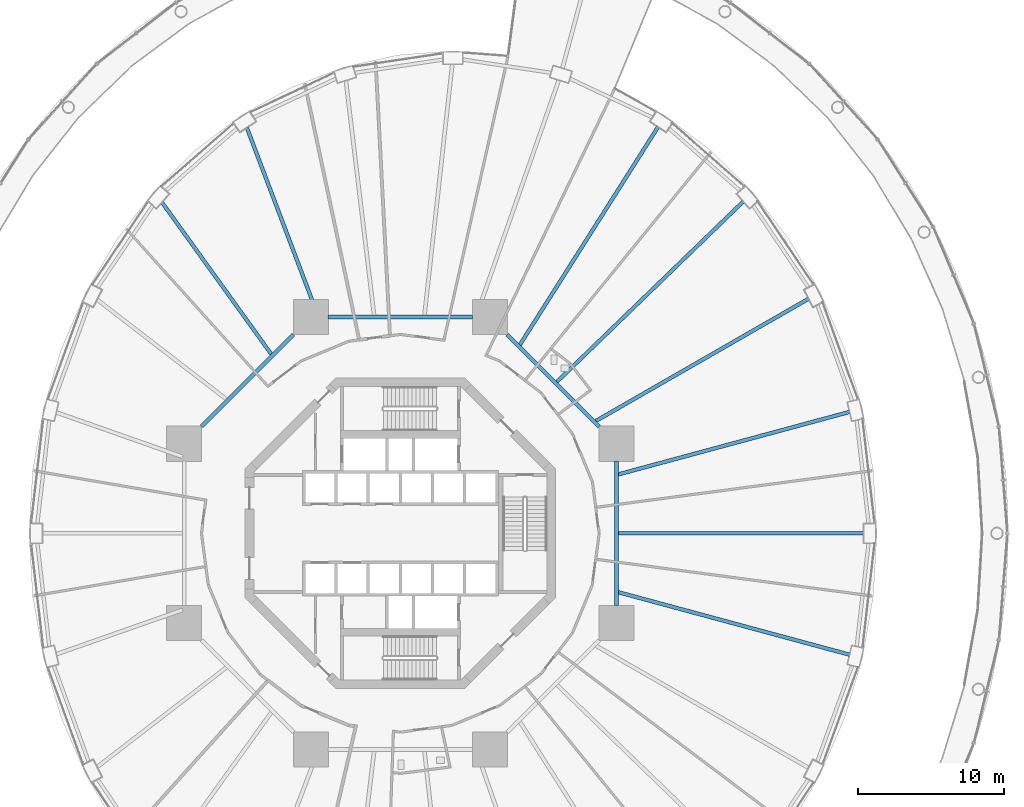
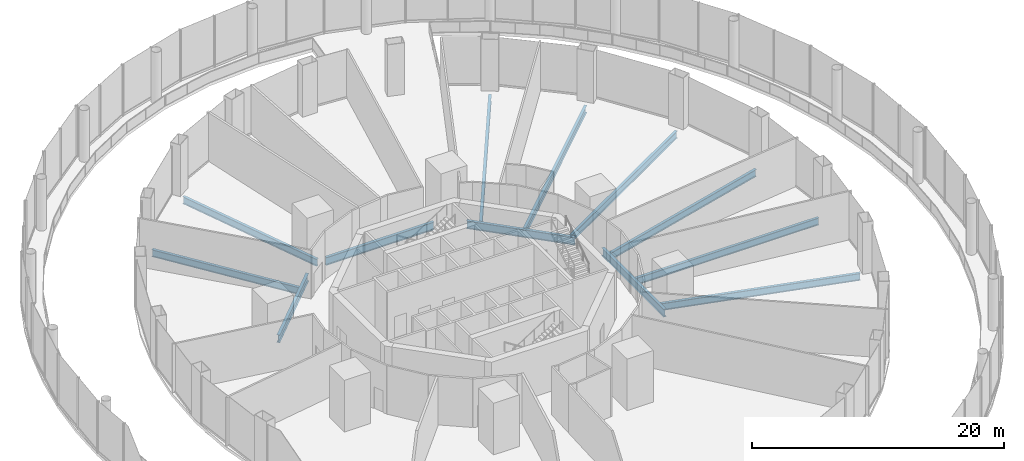
# One storey, part 22 of 47: 12 beams.
"""IFC4 building model written with IfcOpenShell, lengths in metres."""

from ifc_helpers import new_model, si_unit, direction, frame, origin, origin_2d, place, context, subcontext, project, spatial, i_section, extrude, material, material_profile, profile_set, type_object, element, save


model = new_model("IFC4")

# Units and contexts
model_context = context("Model", 3, precision=1e-05, world=origin(), true_north=direction((0.0, 1.0)))
body_context = subcontext(model_context, "Body", "Model", "MODEL_VIEW")
ifc_project = project(units=[si_unit("LENGTHUNIT", "METRE"), si_unit("AREAUNIT", "SQUARE_METRE"), si_unit("VOLUMEUNIT", "CUBIC_METRE"), si_unit("PLANEANGLEUNIT", "RADIAN"), si_unit("MASSUNIT", "GRAM", prefix="KILO")], contexts=[model_context])

# Site, building, storey
site_placement = place(None, origin())
site = spatial("IfcSite", under=ifc_project, at=site_placement, CompositionType="ELEMENT")
building_placement = place(site_placement, origin())
building = spatial("IfcBuilding", under=site, at=building_placement, Name="Nagisa Residences", CompositionType="ELEMENT")
storey_placement = place(building_placement, frame((0.0, 0.0, 17.0)))
storey = spatial("IfcBuildingStorey", under=building, at=storey_placement, Name="L03", CompositionType="ELEMENT", Elevation=17.0)

# Beams
ifc_material_1 = material(Name="Steel ASTM A572 Gr 50", Category="steel")
ifc_material_profile_1 = material_profile(ifc_material_1, i_section(OverallWidth=0.264892578125, OverallDepth=0.7529296875, WebThickness=0.01318359375, FlangeThickness=0.01708984375, at=origin_2d()), Name="W760x147")
ifc_profile_set_1 = profile_set([ifc_material_profile_1], Name="Steel ASTM A572 Gr 50")
beam_type_1 = type_object("IfcBeamType", Name="Inner ring beam W760x147", PredefinedType="BEAM", material=ifc_profile_set_1)
beam_1_placement = place(storey_placement, frame((13.59619140625, 7.308837890625, -0.676513671875), z_axis=(-0.707106781187, 0.707106781187, 0.0), x_axis=(-0.707106781187, -0.707106781187, 0.0)))
element("IfcBeam", 1, at=beam_1_placement, inside=storey, type_object=beam_type_1, Name="beam:L03:ib1", PredefinedType="BEAM", context=body_context, shape_type="SweptSolid", body=[
    extrude(i_section(OverallWidth=0.264892578125, OverallDepth=0.7529296875, WebThickness=0.01318359375, FlangeThickness=0.01708984375, at=origin_2d()), origin(), (0.0, 0.0, 1.0), 8.8916015625),
])
beam_2_placement = place(storey_placement, frame((4.94287109375, 14.781982421875, -0.676513671875), z_axis=(-1.0, 0.0, 0.0), x_axis=(0.0, -1.0, 0.0)))
element("IfcBeam", 2, at=beam_2_placement, inside=storey, type_object=beam_type_1, Name="beam:L03:ib2", PredefinedType="BEAM", context=body_context, shape_type="SweptSolid", body=[
    extrude(i_section(OverallWidth=0.264892578125, OverallDepth=0.7529296875, WebThickness=0.01318359375, FlangeThickness=0.01708984375, at=origin_2d()), origin(), (0.0, 0.0, 1.0), 9.8857421875),
])
beam_3_placement = place(storey_placement, frame((-7.308837890625, 13.59619140625, -0.676513671875), z_axis=(-0.707106781187, -0.707106781187, 0.0), x_axis=(0.707106781187, -0.707106781187, 0.0)))
element("IfcBeam", 3, at=beam_3_placement, inside=storey, type_object=beam_type_1, Name="beam:L03:ib3", PredefinedType="BEAM", context=body_context, shape_type="SweptSolid", body=[
    extrude(i_section(OverallWidth=0.264892578125, OverallDepth=0.7529296875, WebThickness=0.01318359375, FlangeThickness=0.01708984375, at=origin_2d()), origin(), (0.0, 0.0, 1.0), 8.8916015625),
])
beam_4_placement = place(storey_placement, frame((14.781982421875, -4.94287109375, -0.676513671875), z_axis=(0.0, 1.0, 0.0), x_axis=(-1.0, 0.0, 0.0)))
element("IfcBeam", 4, at=beam_4_placement, inside=storey, type_object=beam_type_1, Name="beam:L03:ib8", PredefinedType="BEAM", context=body_context, shape_type="SweptSolid", body=[
    extrude(i_section(OverallWidth=0.264892578125, OverallDepth=0.7529296875, WebThickness=0.01318359375, FlangeThickness=0.01708984375, at=origin_2d()), origin(), (0.0, 0.0, 1.0), 9.8857421875),
])
ifc_material_2 = material(Name="Steel ASTM A572 Gr 50", Category="steel")
ifc_material_profile_2 = material_profile(ifc_material_2, i_section(OverallWidth=0.25390625, OverallDepth=0.68408203125, WebThickness=0.012451171875, FlangeThickness=0.018798828125, at=origin_2d()), Name="W690x140")
ifc_profile_set_2 = profile_set([ifc_material_profile_2], Name="Steel ASTM A572 Gr 50")
beam_type_2 = type_object("IfcBeamType", Name="Radial beam W690x140", PredefinedType="BEAM", material=ifc_profile_set_2)
beam_5_placement = place(storey_placement, frame((31.669921875, 0.0, -0.64208984375), z_axis=(-1.0, 0.0, 0.0), x_axis=(0.0, -1.0, 0.0)))
element("IfcBeam", 5, at=beam_5_placement, inside=storey, type_object=beam_type_2, Name="beam:L03:rb01", PredefinedType="BEAM", context=body_context, shape_type="SweptSolid", body=[
    extrude(i_section(OverallWidth=0.25390625, OverallDepth=0.68408203125, WebThickness=0.012451171875, FlangeThickness=0.018798828125, at=origin_2d()), origin(), (0.0, 0.0, 1.0), 16.775390625),
])
beam_6_placement = place(storey_placement, frame((30.713623046875, 8.29931640625, -0.64208984375), z_axis=(-0.965375968847, -0.260862490162, 0.0), x_axis=(0.260862490162, -0.965375968847, 0.0)))
element("IfcBeam", 6, at=beam_6_placement, inside=storey, type_object=beam_type_2, Name="beam:L03:rb02", PredefinedType="BEAM", context=body_context, shape_type="SweptSolid", body=[
    extrude(i_section(OverallWidth=0.25390625, OverallDepth=0.68408203125, WebThickness=0.012451171875, FlangeThickness=0.018798828125, at=origin_2d()), origin(), (0.0, 0.0, 1.0), 16.3857421875),
])
beam_7_placement = place(storey_placement, frame((27.908447265625, 16.035400390625, -0.64208984375), z_axis=(-0.867068052258, -0.498189715623, 0.0), x_axis=(0.498189715623, -0.867068052258, 0.0)))
element("IfcBeam", 7, at=beam_7_placement, inside=storey, type_object=beam_type_2, Name="beam:L03:rb03", PredefinedType="BEAM", context=body_context, shape_type="SweptSolid", body=[
    extrude(i_section(OverallWidth=0.25390625, OverallDepth=0.68408203125, WebThickness=0.012451171875, FlangeThickness=0.018798828125, at=origin_2d()), origin(), (0.0, 0.0, 1.0), 16.758056640625),
])
beam_8_placement = place(storey_placement, frame((23.443115234375, 22.681640625, -0.64208984375), z_axis=(-0.718678305776, -0.695342716081, 0.0), x_axis=(0.695342716081, -0.718678305776, 0.0)))
element("IfcBeam", 8, at=beam_8_placement, inside=storey, type_object=beam_type_2, Name="beam:L03:rb04", PredefinedType="BEAM", context=body_context, shape_type="SweptSolid", body=[
    extrude(i_section(OverallWidth=0.25390625, OverallDepth=0.68408203125, WebThickness=0.012451171875, FlangeThickness=0.018798828125, at=origin_2d()), origin(), (0.0, 0.0, 1.0), 17.722900390625),
])
beam_9_placement = place(storey_placement, frame((17.61962890625, 27.78271484375, -0.64208984375), z_axis=(-0.53556610664, -0.844493306911, 0.0), x_axis=(0.844493306911, -0.53556610664, 0.0)))
element("IfcBeam", 9, at=beam_9_placement, inside=storey, type_object=beam_type_2, Name="beam:L03:rb05", PredefinedType="BEAM", context=body_context, shape_type="SweptSolid", body=[
    extrude(i_section(OverallWidth=0.25390625, OverallDepth=0.68408203125, WebThickness=0.012451171875, FlangeThickness=0.018798828125, at=origin_2d()), origin(), (0.0, 0.0, 1.0), 17.63525390625),
])
beam_10_placement = place(storey_placement, frame((-10.493896484375, 27.7333984375, -0.64208984375), z_axis=(0.353887892206, -0.935287848606, 0.0), x_axis=(0.935287848606, 0.353887892206, 0.0)))
element("IfcBeam", 10, at=beam_10_placement, inside=storey, type_object=beam_type_2, Name="beam:L03:rb09", PredefinedType="BEAM", context=body_context, shape_type="SweptSolid", body=[
    extrude(i_section(OverallWidth=0.25390625, OverallDepth=0.68408203125, WebThickness=0.012451171875, FlangeThickness=0.018798828125, at=origin_2d()), origin(), (0.0, 0.0, 1.0), 13.725830078125),
])
beam_11_placement = place(storey_placement, frame((-16.29443359375, 22.62255859375, -0.64208984375), z_axis=(0.58445507622, -0.811426068031, 0.0), x_axis=(0.811426068031, 0.58445507622, 0.0)))
element("IfcBeam", 11, at=beam_11_placement, inside=storey, type_object=beam_type_2, Name="beam:L03:rb10", PredefinedType="BEAM", context=body_context, shape_type="SweptSolid", body=[
    extrude(i_section(OverallWidth=0.25390625, OverallDepth=0.68408203125, WebThickness=0.012451171875, FlangeThickness=0.018798828125, at=origin_2d()), origin(), (0.0, 0.0, 1.0), 12.78955078125),
])
beam_12_placement = place(storey_placement, frame((30.713623046875, -8.29931640625, -0.64208984375), z_axis=(-0.965375968847, 0.260862490162, 0.0), x_axis=(-0.260862490162, -0.965375968847, 0.0)))
element("IfcBeam", 12, at=beam_12_placement, inside=storey, type_object=beam_type_2, Name="beam:L03:rb24", PredefinedType="BEAM", context=body_context, shape_type="SweptSolid", body=[
    extrude(i_section(OverallWidth=0.25390625, OverallDepth=0.68408203125, WebThickness=0.012451171875, FlangeThickness=0.018798828125, at=origin_2d()), origin(), (0.0, 0.0, 1.0), 16.3857421875),
])

save(model, "model.ifc")
